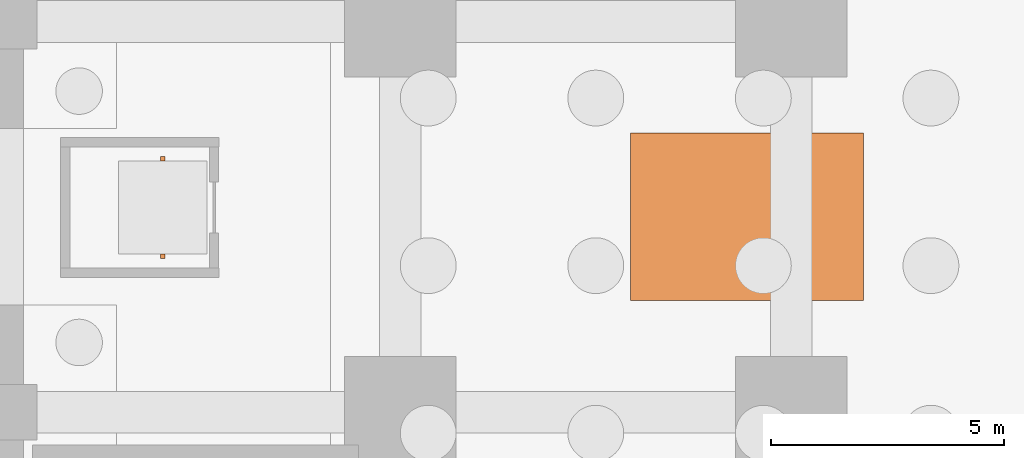
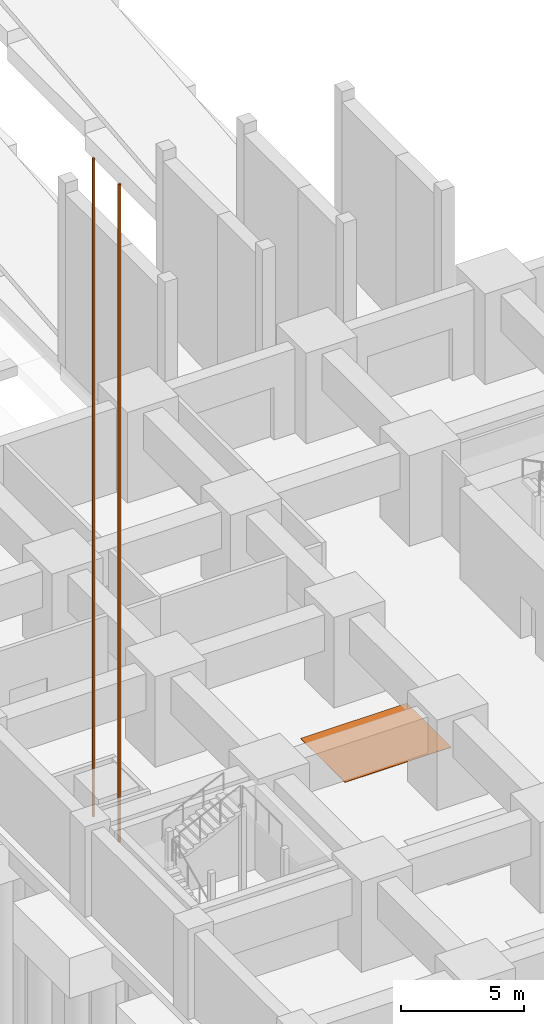
# One storey, part 21 of 28: 3 proxies.
"""IFC4 building model written with IfcOpenShell, lengths in metres."""

from ifc_helpers import new_model, si_unit, direction, frame, origin, origin_2d, place, context, subcontext, project, spatial, rectangle, extrude, material, type_object, element, save


model = new_model("IFC4")

# Units and contexts
model_context = context("Model", 3, precision=1e-05, world=origin(), true_north=direction((0.0, 1.0)))
body_context = subcontext(model_context, "Body", "Model", "MODEL_VIEW")
ifc_project = project(units=[si_unit("LENGTHUNIT", "METRE"), si_unit("AREAUNIT", "SQUARE_METRE"), si_unit("VOLUMEUNIT", "CUBIC_METRE"), si_unit("PLANEANGLEUNIT", "RADIAN"), si_unit("MASSUNIT", "GRAM", prefix="KILO")], contexts=[model_context])

# Site, building, storey
site_placement = place(None, origin())
site = spatial("IfcSite", under=ifc_project, at=site_placement, CompositionType="ELEMENT")
building_placement = place(site_placement, origin())
building = spatial("IfcBuilding", under=site, at=building_placement, Name="Rekha Terrace Tower", CompositionType="ELEMENT")
storey_placement = place(building_placement, frame((0.0, 0.0, -9.89990234375)))
storey = spatial("IfcBuildingStorey", under=building, at=storey_placement, Name="B-02", CompositionType="ELEMENT", Elevation=-9.89990234375)

# Proxies
ifc_material_1 = material(Name="Steel guide rail", Category="steel")
building_element_proxy_type_1 = type_object("IfcBuildingElementProxyType", Name="LR1 100 lift guide rail", PredefinedType="ELEMENT", material=ifc_material_1)
for number, where, z_axis, x_axis, name in (
    (1, (3.300048828125, 36.949951171875, 0.0), (0.0, 0.0, 1.0), (1.0, 0.0, 0.0), "Lift PL1 guide rail 1"),
    (2, (3.300048828125, 39.050048828125, 0.0), (0.0, 0.0, 1.0), (1.0, 0.0, 0.0), "Lift PL1 guide rail 2"),
):
    element("IfcBuildingElementProxy", number, at=place(storey_placement, frame(where, z_axis=z_axis, x_axis=x_axis)), inside=storey, type_object=building_element_proxy_type_1, Name=name, PredefinedType="ELEMENT", context=body_context, shape_type="SweptSolid", body=[
        extrude(rectangle(XDim=0.10009765625, YDim=0.10009765625, at=origin_2d()), origin(), (0.0, 0.0, 1.0), 32.699951171875),
    ])
ifc_material_2 = material(Name="Road marking paint", Category="paint")
building_element_proxy_type_2 = type_object("IfcBuildingElementProxyType", Name="PB2 accessible parking bay marking 3600x5000", PredefinedType="ELEMENT", material=ifc_material_2)
proxy_placement = place(storey_placement, frame((15.85009765625, 37.800048828125, 0.0), z_axis=(0.0, 0.0, 1.0), x_axis=(1.0, 0.0, 0.0)))
element("IfcBuildingElementProxy", 3, at=proxy_placement, inside=storey, type_object=building_element_proxy_type_2, Name="B-02 accessible parking bay marking 8", PredefinedType="ELEMENT", context=body_context, shape_type="SweptSolid", body=[
    extrude(rectangle(XDim=5.0, YDim=3.60009765625, at=origin_2d()), origin(), (0.0, 0.0, 1.0), 0.02001953125),
])

save(model, "model.ifc")
